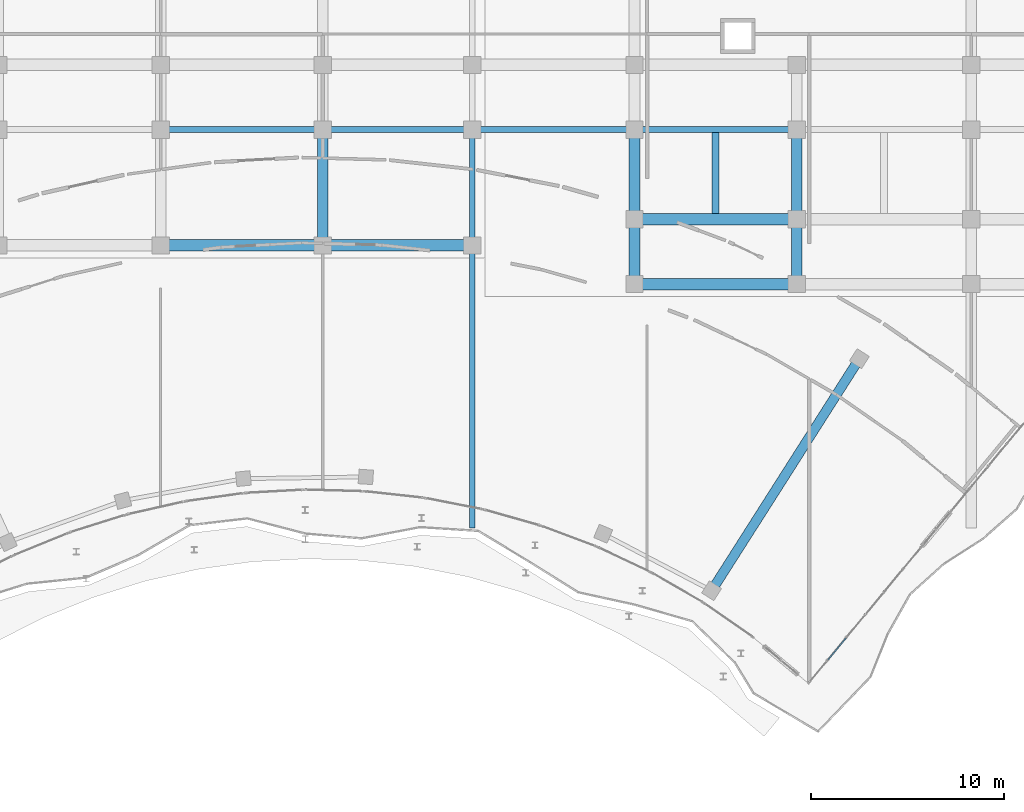
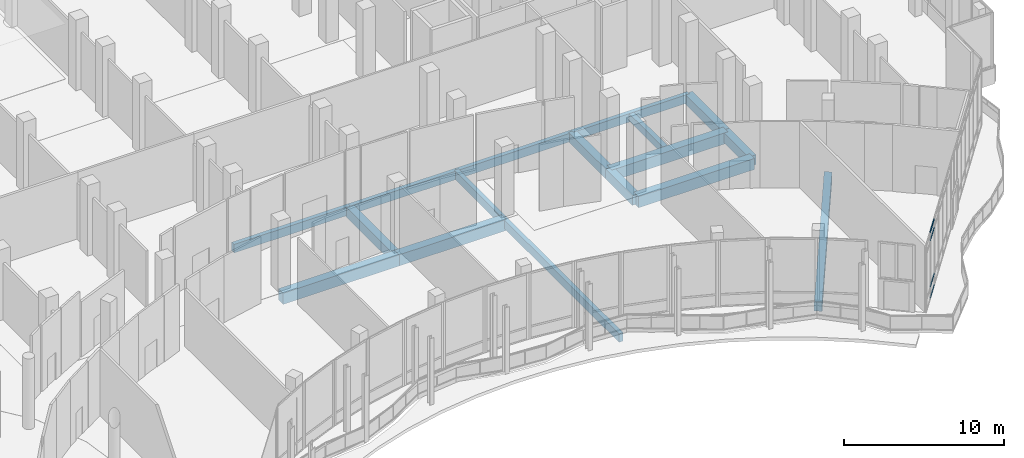
# One storey, part 99 of 158: 17 beams, 4 members, 1 element without a shape of its own.
"""IFC4 building model written with IfcOpenShell, lengths in metres."""

from ifc_helpers import new_model, si_unit, direction, frame, origin, origin_2d, place, context, subcontext, project, spatial, rectangle, hollow_rectangle, extrude, material, material_profile, profile_set, type_object, element, aggregate, save


model = new_model("IFC4")

# Units and contexts
model_context = context("Model", 3, precision=1e-05, world=origin(), true_north=direction((0.0, 1.0)))
body_context = subcontext(model_context, "Body", "Model", "MODEL_VIEW")
ifc_project = project(units=[si_unit("LENGTHUNIT", "METRE"), si_unit("AREAUNIT", "SQUARE_METRE"), si_unit("VOLUMEUNIT", "CUBIC_METRE"), si_unit("PLANEANGLEUNIT", "RADIAN"), si_unit("MASSUNIT", "GRAM", prefix="KILO")], contexts=[model_context])

# Site, building, storey
site_placement = place(None, origin())
site = spatial("IfcSite", under=ifc_project, at=site_placement, CompositionType="ELEMENT")
building_placement = place(site_placement, origin())
building = spatial("IfcBuilding", under=site, at=building_placement, Name="Selatvlak General Hospital", CompositionType="ELEMENT")
storey_placement = place(building_placement, origin())
storey = spatial("IfcBuildingStorey", under=building, at=storey_placement, Name="L00", CompositionType="ELEMENT", Elevation=0.0)

# Beams
ifc_material_1 = material(Name="Concrete C40/50", Category="concrete")
ifc_material_profile_1 = material_profile(ifc_material_1, rectangle(XDim=0.60009765625, YDim=0.85009765625, at=origin_2d()), Name="RC-BM 600x850")
ifc_profile_set_1 = profile_set([ifc_material_profile_1], Name="Concrete C40/50")
beam_type_1 = type_object("IfcBeamType", Name="BM-G01", PredefinedType="BEAM", material=ifc_profile_set_1)
for number, where, z_axis, x_axis, name in (
    (1, (156.550048828125, 64.64990234375, -0.77490234375), (1.0, 0.0, 0.0), (0.0, 1.0, 0.0), "Beam BMR-L00-0010"),
    (2, (132.0, 66.64990234375, -0.77490234375), (1.0, 0.0, 0.0), (0.0, 1.0, 0.0), "Beam BMR-L00-0015"),
):
    element("IfcBeam", number, at=place(storey_placement, frame(where, z_axis=z_axis, x_axis=x_axis)), inside=storey, type_object=beam_type_1, Name=name, PredefinedType="BEAM", context=body_context, shape_type="SweptSolid", body=[
        extrude(rectangle(XDim=0.60009765625, YDim=0.85009765625, at=origin_2d()), origin(), (0.0, 0.0, 1.0), 8.39990234375),
    ])
beam_1_placement = place(storey_placement, frame((140.39990234375, 66.64990234375, -0.77490234375), z_axis=(1.0, 0.0, 0.0), x_axis=(0.0, 1.0, 0.0)))
element("IfcBeam", 3, at=beam_1_placement, inside=storey, type_object=beam_type_1, Name="Beam BMR-L00-0016", PredefinedType="BEAM", context=body_context, shape_type="SweptSolid", body=[
    extrude(rectangle(XDim=0.60009765625, YDim=0.85009765625, at=origin_2d()), origin(), (0.0, 0.0, 1.0), 7.75),
])
beam_2_placement = place(storey_placement, frame((156.550048828125, 68.0, -0.77490234375), z_axis=(1.0, 0.0, 0.0), x_axis=(0.0, 1.0, 0.0)))
element("IfcBeam", 4, at=beam_2_placement, inside=storey, type_object=beam_type_1, Name="Beam BMR-L00-0023", PredefinedType="BEAM", context=body_context, shape_type="SweptSolid", body=[
    extrude(rectangle(XDim=0.60009765625, YDim=0.85009765625, at=origin_2d()), origin(), (0.0, 0.0, 1.0), 8.39990234375),
])
ifc_material_profile_2 = material_profile(ifc_material_1, rectangle(XDim=0.550048828125, YDim=0.75, at=origin_2d()), Name="RC-BM 550x750")
ifc_profile_set_2 = profile_set([ifc_material_profile_2], Name="Concrete C40/50")
beam_type_2 = type_object("IfcBeamType", Name="BM-G02", PredefinedType="BEAM", material=ifc_profile_set_2)
beam_3_placement = place(storey_placement, frame((140.39990234375, 66.64990234375, -0.72509765625), z_axis=(0.0, 1.0, 0.0), x_axis=(-1.0, 0.0, 0.0)))
element("IfcBeam", 5, at=beam_3_placement, inside=storey, type_object=beam_type_2, Name="Beam BMR-L00-0258", PredefinedType="BEAM", context=body_context, shape_type="SweptSolid", body=[
    extrude(rectangle(XDim=0.550048828125, YDim=0.75, at=origin_2d()), origin(), (0.0, 0.0, 1.0), 6.0),
])
beam_4_placement = place(storey_placement, frame((156.550048828125, 64.64990234375, -0.72509765625), z_axis=(0.0, 1.0, 0.0), x_axis=(-1.0, 0.0, 0.0)))
element("IfcBeam", 6, at=beam_4_placement, inside=storey, type_object=beam_type_2, Name="Beam BMR-L00-0275", PredefinedType="BEAM", context=body_context, shape_type="SweptSolid", body=[
    extrude(rectangle(XDim=0.550048828125, YDim=0.75, at=origin_2d()), origin(), (0.0, 0.0, 1.0), 3.35009765625),
])
beam_5_placement = place(storey_placement, frame((156.550048828125, 68.0, -0.72509765625), z_axis=(0.0, 1.0, 0.0), x_axis=(-1.0, 0.0, 0.0)))
element("IfcBeam", 7, at=beam_5_placement, inside=storey, type_object=beam_type_2, Name="Beam BMR-L00-0276", PredefinedType="BEAM", context=body_context, shape_type="SweptSolid", body=[
    extrude(rectangle(XDim=0.550048828125, YDim=0.75, at=origin_2d()), origin(), (0.0, 0.0, 1.0), 4.64990234375),
])
beam_6_placement = place(storey_placement, frame((164.949951171875, 64.64990234375, -0.72509765625), z_axis=(0.0, 1.0, 0.0), x_axis=(-1.0, 0.0, 0.0)))
element("IfcBeam", 8, at=beam_6_placement, inside=storey, type_object=beam_type_2, Name="Beam BMR-L00-0285", PredefinedType="BEAM", context=body_context, shape_type="SweptSolid", body=[
    extrude(rectangle(XDim=0.550048828125, YDim=0.75, at=origin_2d()), origin(), (0.0, 0.0, 1.0), 3.35009765625),
])
beam_7_placement = place(storey_placement, frame((164.949951171875, 68.0, -0.72509765625), z_axis=(0.0, 1.0, 0.0), x_axis=(-1.0, 0.0, 0.0)))
element("IfcBeam", 9, at=beam_7_placement, inside=storey, type_object=beam_type_2, Name="Beam BMR-L00-0286", PredefinedType="BEAM", context=body_context, shape_type="SweptSolid", body=[
    extrude(rectangle(XDim=0.550048828125, YDim=0.75, at=origin_2d()), origin(), (0.0, 0.0, 1.0), 4.64990234375),
])
ifc_material_profile_3 = material_profile(ifc_material_1, rectangle(XDim=0.5, YDim=0.699951171875, at=origin_2d()), Name="RC-BM 500x700")
ifc_profile_set_3 = profile_set([ifc_material_profile_3], Name="Concrete C40/50")
beam_type_3 = type_object("IfcBeamType", Name="BM-G03", PredefinedType="BEAM", material=ifc_profile_set_3)
beam_8_placement = place(storey_placement, frame((168.197998046875, 60.783935546875, -0.699951171875), z_axis=(-0.537073919926, -0.843535182749, 0.0), x_axis=(0.843535182749, -0.537073919926, 0.0)))
element("IfcBeam", 10, at=beam_8_placement, inside=storey, type_object=beam_type_3, Name="Beam BMR-L00-0353", PredefinedType="BEAM", context=body_context, shape_type="SweptSolid", body=[
    extrude(rectangle(XDim=0.5, YDim=0.699951171875, at=origin_2d()), origin(), (0.0, 0.0, 1.0), 14.24951171875),
])
ifc_material_profile_4 = material_profile(ifc_material_1, rectangle(XDim=0.35009765625, YDim=0.550048828125, at=origin_2d()), Name="RC-BM 350x550")
ifc_profile_set_4 = profile_set([ifc_material_profile_4], Name="Concrete C40/50")
beam_type_4 = type_object("IfcBeamType", Name="BM-J01", PredefinedType="JOIST", material=ifc_profile_set_4)
beam_9_placement = place(storey_placement, frame((160.75, 68.300048828125, -0.625), z_axis=(0.0, 1.0, 0.0), x_axis=(-1.0, 0.0, 0.0)))
element("IfcBeam", 11, at=beam_9_placement, inside=storey, type_object=beam_type_4, Name="Beam BMR-L00-0311", PredefinedType="JOIST", context=body_context, shape_type="SweptSolid", body=[
    extrude(rectangle(XDim=0.35009765625, YDim=0.550048828125, at=origin_2d()), origin(), (0.0, 0.0, 1.0), 4.199951171875),
])
ifc_material_profile_5 = material_profile(ifc_material_1, rectangle(XDim=0.300048828125, YDim=0.64990234375, at=origin_2d()), Name="RC-SP 300x650")
ifc_profile_set_5 = profile_set([ifc_material_profile_5], Name="Concrete C40/50")
beam_type_5 = type_object("IfcBeamType", Name="BM-SP1", PredefinedType="SPANDREL", material=ifc_profile_set_5)
beam_10_placement = place(storey_placement, frame((132.0, 72.64990234375, -0.675048828125), z_axis=(1.0, 0.0, 0.0), x_axis=(0.0, 1.0, 0.0)))
element("IfcBeam", 12, at=beam_10_placement, inside=storey, type_object=beam_type_5, Name="Beam BMR-L00-0028", PredefinedType="SPANDREL", context=body_context, shape_type="SweptSolid", body=[
    extrude(rectangle(XDim=0.300048828125, YDim=0.64990234375, at=origin_2d()), origin(), (0.0, 0.0, 1.0), 8.39990234375),
])
beam_11_placement = place(storey_placement, frame((140.39990234375, 72.64990234375, -0.675048828125), z_axis=(1.0, 0.0, 0.0), x_axis=(0.0, 1.0, 0.0)))
element("IfcBeam", 13, at=beam_11_placement, inside=storey, type_object=beam_type_5, Name="Beam BMR-L00-0029", PredefinedType="SPANDREL", context=body_context, shape_type="SweptSolid", body=[
    extrude(rectangle(XDim=0.300048828125, YDim=0.64990234375, at=origin_2d()), origin(), (0.0, 0.0, 1.0), 7.75),
])
beam_12_placement = place(storey_placement, frame((148.14990234375, 72.64990234375, -0.675048828125), z_axis=(1.0, 0.0, 0.0), x_axis=(0.0, 1.0, 0.0)))
element("IfcBeam", 14, at=beam_12_placement, inside=storey, type_object=beam_type_5, Name="Beam BMR-L00-0030", PredefinedType="SPANDREL", context=body_context, shape_type="SweptSolid", body=[
    extrude(rectangle(XDim=0.300048828125, YDim=0.64990234375, at=origin_2d()), origin(), (0.0, 0.0, 1.0), 8.400146484375),
])
beam_13_placement = place(storey_placement, frame((156.550048828125, 72.64990234375, -0.675048828125), z_axis=(1.0, 0.0, 0.0), x_axis=(0.0, 1.0, 0.0)))
element("IfcBeam", 15, at=beam_13_placement, inside=storey, type_object=beam_type_5, Name="Beam BMR-L00-0031", PredefinedType="SPANDREL", context=body_context, shape_type="SweptSolid", body=[
    extrude(rectangle(XDim=0.300048828125, YDim=0.64990234375, at=origin_2d()), origin(), (0.0, 0.0, 1.0), 8.39990234375),
])
beam_14_placement = place(storey_placement, frame((148.14990234375, 52.0, -0.675048828125), z_axis=(0.0, 1.0, 0.0), x_axis=(-1.0, 0.0, 0.0)))
element("IfcBeam", 16, at=beam_14_placement, inside=storey, type_object=beam_type_5, Name="Beam BMR-L00-0267", PredefinedType="SPANDREL", context=body_context, shape_type="SweptSolid", body=[
    extrude(rectangle(XDim=0.300048828125, YDim=0.64990234375, at=origin_2d()), origin(), (0.0, 0.0, 1.0), 14.64990234375),
])
beam_15_placement = place(storey_placement, frame((148.14990234375, 66.64990234375, -0.675048828125), z_axis=(0.0, 1.0, 0.0), x_axis=(-1.0, 0.0, 0.0)))
element("IfcBeam", 17, at=beam_15_placement, inside=storey, type_object=beam_type_5, Name="Beam BMR-L00-0268", PredefinedType="SPANDREL", context=body_context, shape_type="SweptSolid", body=[
    extrude(rectangle(XDim=0.300048828125, YDim=0.64990234375, at=origin_2d()), origin(), (0.0, 0.0, 1.0), 6.0),
])

# Curtain wall, members
ifc_material_2 = material(Name="Solar-control Low-E double glazing", Category="glass")
curtain_wall_type = type_object("IfcCurtainWallType", Name="CW-CW-01", PredefinedType="USERDEFINED", material=ifc_material_2)
curtain_wall_placement = place(storey_placement, origin())
curtain_wall = element("IfcCurtainWall", 18, at=curtain_wall_placement, inside=storey, type_object=curtain_wall_type, Name="Glazed facade curtain wall CW-L00-0022", ObjectType="UNITISED CURTAIN WALL", PredefinedType="USERDEFINED")
ifc_material_3 = material(Name="Dark anodised aluminium mullion", Category="aluminium")
ifc_material_profile_6 = material_profile(ifc_material_3, hollow_rectangle(XDim=0.06494140625, YDim=0.1201171875, WallThickness=0.00390625, at=origin_2d()), Name="AL-TRN 65x120x4")
ifc_profile_set_6 = profile_set([ifc_material_profile_6], Name="Dark anodised aluminium mullion")
member_type = type_object("IfcMemberType", Name="CWT-01", PredefinedType="USERDEFINED", material=ifc_profile_set_6)
member_1_placement = place(storey_placement, frame((167.50732421875, 46.311279296875, 0.032470703125), z_axis=(-0.637710674404, -0.770275986742, 0.0), x_axis=(0.770275986742, -0.637710674404, 0.0)))
member_1 = element("IfcMember", 19, at=member_1_placement, type_object=member_type, Name="CW-01 transom 5.1", ObjectType="TRANSOM", PredefinedType="USERDEFINED", context=body_context, shape_type="SweptSolid", body=[
    extrude(hollow_rectangle(XDim=0.06494140625, YDim=0.1201171875, WallThickness=0.00390625, at=origin_2d()), origin(), (0.0, 0.0, 1.0), 1.4677734375),
])
member_2_placement = place(storey_placement, frame((167.50732421875, 46.311279296875, 0.89990234375), z_axis=(-0.637710674404, -0.770275986742, 0.0), x_axis=(0.770275986742, -0.637710674404, 0.0)))
member_2 = element("IfcMember", 20, at=member_2_placement, type_object=member_type, Name="CW-01 transom 5.2", ObjectType="TRANSOM", PredefinedType="USERDEFINED", context=body_context, shape_type="SweptSolid", body=[
    extrude(hollow_rectangle(XDim=0.06494140625, YDim=0.1201171875, WallThickness=0.00390625, at=origin_2d()), origin(), (0.0, 0.0, 1.0), 1.4677734375),
])
member_3_placement = place(storey_placement, frame((167.50732421875, 46.311279296875, 4.429931640625), z_axis=(-0.637710674404, -0.770275986742, 0.0), x_axis=(0.770275986742, -0.637710674404, 0.0)))
member_3 = element("IfcMember", 21, at=member_3_placement, type_object=member_type, Name="CW-01 transom 5.3", ObjectType="TRANSOM", PredefinedType="USERDEFINED", context=body_context, shape_type="SweptSolid", body=[
    extrude(hollow_rectangle(XDim=0.06494140625, YDim=0.1201171875, WallThickness=0.00390625, at=origin_2d()), origin(), (0.0, 0.0, 1.0), 1.4677734375),
])
member_4_placement = place(storey_placement, frame((167.50732421875, 46.311279296875, 5.047607421875), z_axis=(-0.637710674404, -0.770275986742, 0.0), x_axis=(0.770275986742, -0.637710674404, 0.0)))
member_4 = element("IfcMember", 22, at=member_4_placement, type_object=member_type, Name="CW-01 transom 5.4", ObjectType="TRANSOM", PredefinedType="USERDEFINED", context=body_context, shape_type="SweptSolid", body=[
    extrude(hollow_rectangle(XDim=0.06494140625, YDim=0.1201171875, WallThickness=0.00390625, at=origin_2d()), origin(), (0.0, 0.0, 1.0), 1.4677734375),
])
aggregate(curtain_wall, [member_1, member_2, member_3, member_4])

save(model, "model.ifc")
